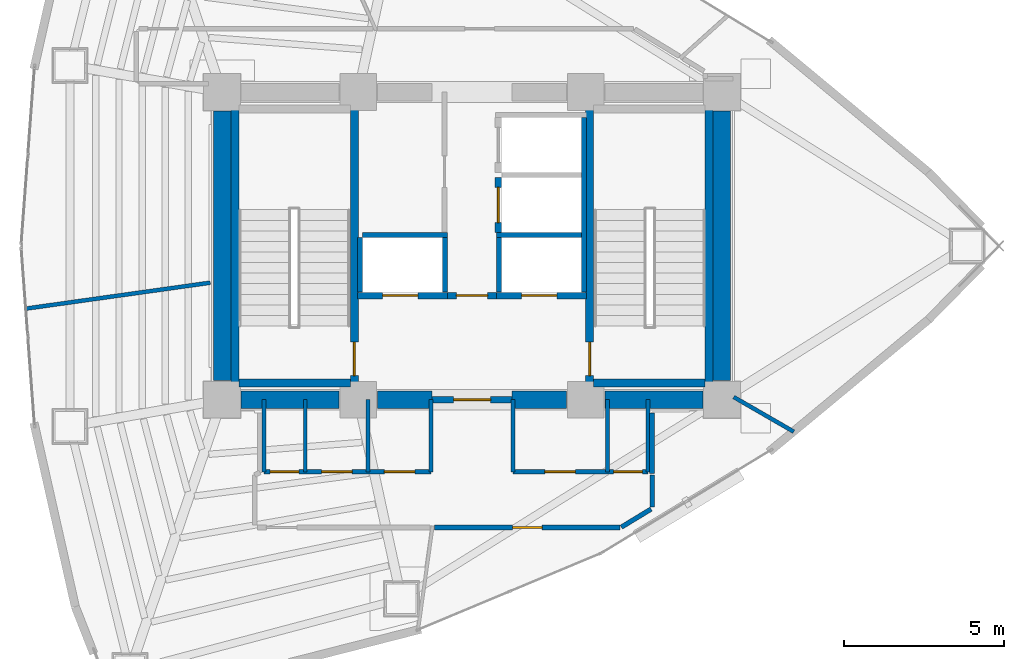
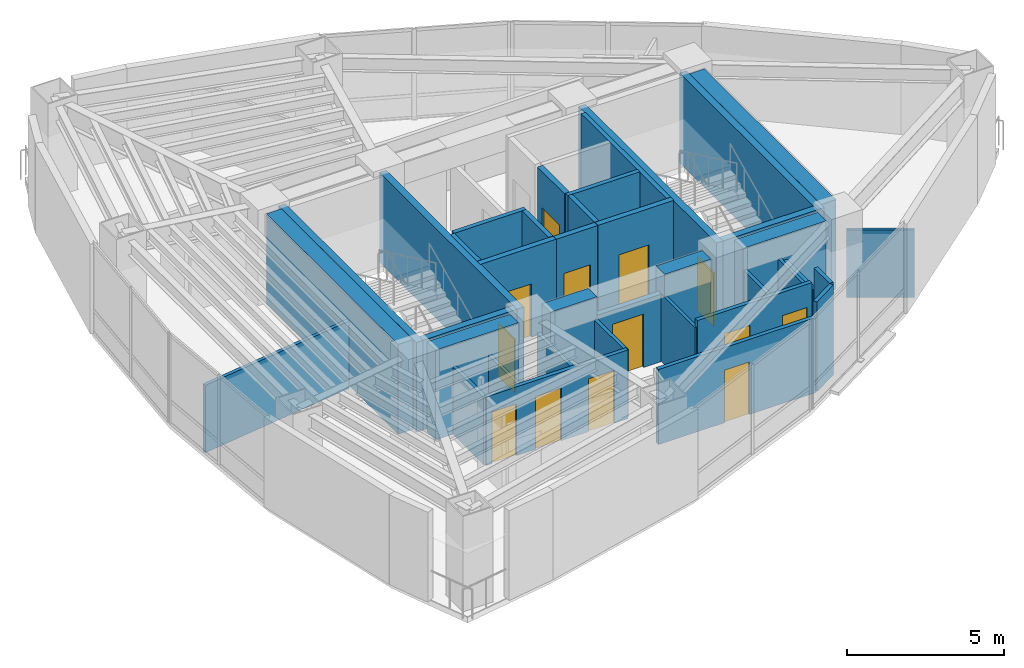
# One storey, part 11 of 15: 38 walls, 13 doors, 13 openings.
"""IFC4 building model written with IfcOpenShell, lengths in metres."""

from ifc_helpers import new_model, si_unit, direction, frame, frame_2d, origin, place, context, subcontext, project, spatial, rectangle, extrude, material, layer, layer_set, type_object, element, fill, save


model = new_model("IFC4")

# Units and contexts
model_context = context("Model", 3, precision=1e-05, world=origin(), true_north=direction((0.0, 1.0)))
body_context = subcontext(model_context, "Body", "Model", "MODEL_VIEW")
ifc_project = project(units=[si_unit("LENGTHUNIT", "METRE"), si_unit("AREAUNIT", "SQUARE_METRE"), si_unit("VOLUMEUNIT", "CUBIC_METRE"), si_unit("PLANEANGLEUNIT", "RADIAN"), si_unit("MASSUNIT", "GRAM", prefix="KILO")], contexts=[model_context])

# Site, building, storey
site_placement = place(None, origin())
site = spatial("IfcSite", under=ifc_project, at=site_placement, CompositionType="ELEMENT")
building_placement = place(site_placement, origin())
building = spatial("IfcBuilding", under=site, at=building_placement, Name="Menara Vayukalpa", CompositionType="ELEMENT")
storey_placement = place(building_placement, frame((0.0, 0.0, 137.4599609375)))
storey = spatial("IfcBuildingStorey", under=building, at=storey_placement, Name="L34", CompositionType="ELEMENT", Elevation=137.4599609375)

# Walls
ifc_material_1 = material(Name="Concrete C60/75", Category="concrete")
ifc_layer_1 = layer(ifc_material_1, 0.550048828125)
ifc_layer_set_1 = layer_set([ifc_layer_1], Name="Concrete C60/75")
wall_type_1 = type_object("IfcWallType", Name="WAL-CW550", PredefinedType="SHEAR", material=ifc_layer_set_1)
wall_1_placement = place(storey_placement, frame((18.39501953125, 17.199951171875, 0.0), z_axis=(0.0, 0.0, 1.0), x_axis=(1.0, 0.0, 0.0)))
element("IfcWall", 1, at=wall_1_placement, inside=storey, type_object=wall_type_1, Name="L34 Buttressed Core Shear Wall CWS1", PredefinedType="SHEAR", context=body_context, shape_type="SweptSolid", body=[
    extrude(rectangle(XDim=3.06005859375, YDim=0.550048828125, at=frame_2d((1.530029296875, 0.0))), origin(), (0.0, 0.0, 1.0), 3.5),
])
wall_2_placement = place(storey_placement, frame((22.64501953125, 17.199951171875, 0.0), z_axis=(0.0, 0.0, 1.0), x_axis=(1.0, 0.0, 0.0)))
element("IfcWall", 2, at=wall_2_placement, inside=storey, type_object=wall_type_1, Name="L34 Buttressed Core Shear Wall CWS2", PredefinedType="SHEAR", context=body_context, shape_type="SweptSolid", body=[
    extrude(rectangle(XDim=1.705078125, YDim=0.550048828125, at=frame_2d((0.8525390625, 0.0))), origin(), (0.0, 0.0, 1.0), 3.5),
])
wall_3_placement = place(storey_placement, frame((26.85009765625, 17.199951171875, 0.0), z_axis=(0.0, 0.0, 1.0), x_axis=(1.0, 0.0, 0.0)))
element("IfcWall", 3, at=wall_3_placement, inside=storey, type_object=wall_type_1, Name="L34 Buttressed Core Shear Wall CWS3", PredefinedType="SHEAR", context=body_context, shape_type="SweptSolid", body=[
    extrude(rectangle(XDim=1.704833984375, YDim=0.550048828125, at=frame_2d((0.8525390625, 0.0))), origin(), (0.0, 0.0, 1.0), 3.5),
])
wall_4_placement = place(storey_placement, frame((29.7451171875, 17.199951171875, 0.0), z_axis=(0.0, 0.0, 1.0), x_axis=(1.0, 0.0, 0.0)))
element("IfcWall", 4, at=wall_4_placement, inside=storey, type_object=wall_type_1, Name="L34 Buttressed Core Shear Wall CWS4", PredefinedType="SHEAR", context=body_context, shape_type="SweptSolid", body=[
    extrude(rectangle(XDim=3.059814453125, YDim=0.550048828125, at=frame_2d((1.52978515625, 0.0))), origin(), (0.0, 0.0, 1.0), 3.5),
])
for number, where, z_axis, x_axis, name in (
    (5, (17.800048828125, 17.794921875, 0.0), (0.0, 0.0, 1.0), (0.0, 1.0, 0.0), "L34 Buttressed Core Shear Wall CWW1"),
    (6, (33.39990234375, 17.794921875, 0.0), (0.0, 0.0, 1.0), (0.0, 1.0, 0.0), "L34 Buttressed Core Shear Wall CWE1"),
):
    element("IfcWall", number, at=place(storey_placement, frame(where, z_axis=z_axis, x_axis=x_axis)), inside=storey, type_object=wall_type_1, Name=name, PredefinedType="SHEAR", context=body_context, shape_type="SweptSolid", body=[
        extrude(rectangle(XDim=8.41015625, YDim=0.550048828125, at=frame_2d((4.205078125, 0.0))), origin(), (0.0, 0.0, 1.0), 3.5),
    ])
ifc_material_2 = material(Name="Lightweight Concrete Blockwork C16/20", Category="masonry")
ifc_layer_2 = layer(ifc_material_2, 0.159912109375)
ifc_layer_set_2 = layer_set([ifc_layer_2], Name="Lightweight Concrete Blockwork C16/20")
wall_type_2 = type_object("IfcWallType", Name="WAL-FR150", PredefinedType="PARTITIONING", material=ifc_layer_set_2)
for number, where, z_axis, x_axis, name in (
    (7, (22.10498046875, 20.56005859375, 0.0), (0.0, 0.0, 1.0), (0.0, 1.0, 0.0), "L34 Interior Partition IW-L34-SHW-WW"),
    (8, (24.7548828125, 20.56005859375, 0.0), (0.0, 0.0, 1.0), (0.0, 1.0, 0.0), "L34 Interior Partition IW-L34-SHW-W1E"),
):
    element("IfcWall", number, at=place(storey_placement, frame(where, z_axis=z_axis, x_axis=x_axis)), inside=storey, type_object=wall_type_2, Name=name, PredefinedType="PARTITIONING", context=body_context, shape_type="SweptSolid", body=[
        extrude(rectangle(XDim=1.7099609375, YDim=0.159912109375, at=frame_2d((0.85498046875, 0.0))), origin(), (0.0, 0.0, 1.0), 3.5),
    ])
wall_5_placement = place(storey_placement, frame((22.179931640625, 22.344970703125, 0.0), z_axis=(0.0, 0.0, 1.0), x_axis=(1.0, 0.0, 0.0)))
element("IfcWall", 9, at=wall_5_placement, inside=storey, type_object=wall_type_2, Name="L34 Interior Partition IW-L34-SHM-W12", PredefinedType="PARTITIONING", context=body_context, shape_type="SweptSolid", body=[
    extrude(rectangle(XDim=2.650146484375, YDim=0.159912109375, at=frame_2d((1.3251953125, 0.0))), origin(), (0.0, 0.0, 1.0), 3.5),
])
wall_6_placement = place(storey_placement, frame((29.094970703125, 20.56005859375, 0.0), z_axis=(0.0, 0.0, 1.0), x_axis=(0.0, 1.0, 0.0)))
element("IfcWall", 10, at=wall_6_placement, inside=storey, type_object=wall_type_2, Name="L34 Interior Partition IW-L34-SHW-EE", PredefinedType="PARTITIONING", context=body_context, shape_type="SweptSolid", body=[
    extrude(rectangle(XDim=5.449951171875, YDim=0.159912109375, at=frame_2d((2.72509765625, 0.0))), origin(), (0.0, 0.0, 1.0), 3.5),
])
wall_7_placement = place(storey_placement, frame((26.445068359375, 20.56005859375, 0.0), z_axis=(0.0, 0.0, 1.0), x_axis=(0.0, 1.0, 0.0)))
element("IfcWall", 11, at=wall_7_placement, inside=storey, type_object=wall_type_2, Name="L34 Interior Partition IW-L34-SHW-E1W", PredefinedType="PARTITIONING", context=body_context, shape_type="SweptSolid", body=[
    extrude(rectangle(XDim=1.7099609375, YDim=0.159912109375, at=frame_2d((0.85498046875, 0.0))), origin(), (0.0, 0.0, 1.0), 3.5),
])
wall_8_placement = place(storey_placement, frame((26.3701171875, 22.344970703125, 0.0), z_axis=(0.0, 0.0, 1.0), x_axis=(1.0, 0.0, 0.0)))
element("IfcWall", 12, at=wall_8_placement, inside=storey, type_object=wall_type_2, Name="L34 Interior Partition IW-L34-SHM-E13", PredefinedType="PARTITIONING", context=body_context, shape_type="SweptSolid", body=[
    extrude(rectangle(XDim=2.64990234375, YDim=0.159912109375, at=frame_2d((1.324951171875, 0.0))), origin(), (0.0, 0.0, 1.0), 3.5),
])

# Wall, opening, door
ifc_material_3 = material(Name="Lightweight Concrete Blockwork C16/20", Category="masonry")
ifc_layer_3 = layer(ifc_material_3, 0.199951171875)
ifc_layer_set_3 = layer_set([ifc_layer_3], Name="Lightweight Concrete Blockwork C16/20")
wall_type_3 = type_object("IfcWallType", Name="WAL-FR200", PredefinedType="PARTITIONING", material=ifc_layer_set_3)
wall_9_placement = place(storey_placement, frame((24.35009765625, 17.199951171875, 0.0), z_axis=(0.0, 0.0, 1.0), x_axis=(1.0, 0.0, 0.0)))
wall_9 = element("IfcWall", 13, at=wall_9_placement, inside=storey, type_object=wall_type_3, Name="L34 Interior Partition IW-L34-FFLS", PredefinedType="PARTITIONING", context=body_context, shape_type="SweptSolid", body=[
    extrude(rectangle(XDim=2.5, YDim=0.199951171875, at=frame_2d((1.25, 0.0))), origin(), (0.0, 0.0, 1.0), 2.630126953125),
])
opening_1_placement = place(wall_9_placement, frame((0.679931640625, 0.0, 0.0)))
opening_1 = element("IfcOpeningElement", 14, at=opening_1_placement, cuts=wall_9, Name="Opening ID2", PredefinedType="OPENING", context=body_context, shape_type="SweptSolid", body=[
    extrude(rectangle(XDim=1.14990234375, YDim=2.080078125, at=frame_2d((0.574951171875, 1.0400390625))), frame((0.0, 0.10986328125, 0.0), z_axis=(0.0, -1.0, 0.0), x_axis=(1.0, 0.0, 0.0)), (0.0, 0.0, 1.0), 0.219970703125),
])
ifc_material_4 = material(Name="Fire-Rated Powder-Coated Steel Door", Category="steel")
door_type_1 = type_object("IfcDoorType", Name="DR-FD60W", OperationType="NOTDEFINED", PredefinedType="DOOR", material=ifc_material_4)
door_1_placement = place(opening_1_placement, origin())
door_1 = element("IfcDoor", 15, at=door_1_placement, inside=storey, type_object=door_type_1, Name="L34 Interior Door DR-L34-FFLS", OperationType="SINGLE_SWING_LEFT", OverallHeight=2.080078125, OverallWidth=1.14990234375, PredefinedType="DOOR", context=body_context, shape_type="SweptSolid", body=[
    extrude(rectangle(XDim=1.14990234375, YDim=2.080078125, at=frame_2d((0.574951171875, 1.0400390625))), frame((0.0, 0.02490234375, 0.0), z_axis=(0.0, -1.0, 0.0), x_axis=(1.0, 0.0, 0.0)), (0.0, 0.0, 1.0), 0.050048828125),
])
fill(opening_1, door_1)

wall_10_placement = place(storey_placement, frame((24.840087890625, 20.449951171875, 0.0), z_axis=(0.0, 0.0, 1.0), x_axis=(1.0, 0.0, 0.0)))
wall_10 = element("IfcWall", 16, at=wall_10_placement, inside=storey, type_object=wall_type_3, Name="L34 Interior Partition IW-L34-FFLN", PredefinedType="PARTITIONING", context=body_context, shape_type="SweptSolid", body=[
    extrude(rectangle(XDim=1.52001953125, YDim=0.199951171875, at=frame_2d((0.760009765625, 0.0))), origin(), (0.0, 0.0, 1.0), 3.5),
])
opening_2_placement = place(wall_10_placement, frame((0.27001953125, 0.0, 0.0)))
opening_2 = element("IfcOpeningElement", 17, at=opening_2_placement, cuts=wall_10, Name="Opening ID3", PredefinedType="OPENING", context=body_context, shape_type="SweptSolid", body=[
    extrude(rectangle(XDim=0.97998046875, YDim=2.06005859375, at=frame_2d((0.489990234375, 1.030029296875))), frame((0.0, 0.10986328125, 0.0), z_axis=(0.0, -1.0, 0.0), x_axis=(1.0, 0.0, 0.0)), (0.0, 0.0, 1.0), 0.219970703125),
])
ifc_material_5 = material(Name="Fire-Rated Powder-Coated Steel Door", Category="steel")
door_type_2 = type_object("IfcDoorType", Name="DR-FD60", OperationType="NOTDEFINED", PredefinedType="DOOR", material=ifc_material_5)
door_2_placement = place(opening_2_placement, origin())
door_2 = element("IfcDoor", 18, at=door_2_placement, inside=storey, type_object=door_type_2, Name="L34 Interior Door DR-L34-FFLN", OperationType="SINGLE_SWING_RIGHT", OverallHeight=2.06005859375, OverallWidth=0.97998046875, PredefinedType="DOOR", context=body_context, shape_type="SweptSolid", body=[
    extrude(rectangle(XDim=0.97998046875, YDim=2.06005859375, at=frame_2d((0.489990234375, 1.030029296875))), frame((0.0, 0.02490234375, 0.0), z_axis=(0.0, -1.0, 0.0), x_axis=(1.0, 0.0, 0.0)), (0.0, 0.0, 1.0), 0.050048828125),
])
fill(opening_2, door_2)

wall_11_placement = place(storey_placement, frame((22.030029296875, 20.449951171875, 0.0), z_axis=(0.0, 0.0, 1.0), x_axis=(1.0, 0.0, 0.0)))
wall_11 = element("IfcWall", 19, at=wall_11_placement, inside=storey, type_object=wall_type_3, Name="L34 Interior Partition IW-L34-SH-W1", PredefinedType="PARTITIONING", context=body_context, shape_type="SweptSolid", body=[
    extrude(rectangle(XDim=2.800048828125, YDim=0.199951171875, at=frame_2d((1.39990234375, 0.0))), origin(), (0.0, 0.0, 1.0), 3.5),
])
opening_3_placement = place(wall_11_placement, frame((0.780029296875, 0.0, 0.0)))
opening_3 = element("IfcOpeningElement", 20, at=opening_3_placement, cuts=wall_11, Name="Opening LD1", PredefinedType="OPENING", context=body_context, shape_type="SweptSolid", body=[
    extrude(rectangle(XDim=1.10009765625, YDim=2.080078125, at=frame_2d((0.550048828125, 1.0400390625))), frame((0.0, 0.10986328125, 0.0), z_axis=(0.0, -1.0, 0.0), x_axis=(1.0, 0.0, 0.0)), (0.0, 0.0, 1.0), 0.219970703125),
])
ifc_material_6 = material(Name="Brushed Stainless Steel 316 Lift Door", Category="steel")
door_type_3 = type_object("IfcDoorType", Name="DR-LD110", OperationType="NOTDEFINED", PredefinedType="DOOR", material=ifc_material_6)
door_3_placement = place(opening_3_placement, origin())
door_3 = element("IfcDoor", 21, at=door_3_placement, inside=storey, type_object=door_type_3, Name="L34 Interior Door DR-L34-LD-W1", OperationType="DOUBLE_DOOR_SLIDING", OverallHeight=2.080078125, OverallWidth=1.10009765625, PredefinedType="DOOR", context=body_context, shape_type="SweptSolid", body=[
    extrude(rectangle(XDim=1.10009765625, YDim=2.080078125, at=frame_2d((0.550048828125, 1.0400390625))), frame((0.0, 0.02490234375, 0.0), z_axis=(0.0, -1.0, 0.0), x_axis=(1.0, 0.0, 0.0)), (0.0, 0.0, 1.0), 0.050048828125),
])
fill(opening_3, door_3)

wall_12_placement = place(storey_placement, frame((26.3701171875, 20.449951171875, 0.0), z_axis=(0.0, 0.0, 1.0), x_axis=(1.0, 0.0, 0.0)))
wall_12 = element("IfcWall", 22, at=wall_12_placement, inside=storey, type_object=wall_type_3, Name="L34 Interior Partition IW-L34-SH-E1", PredefinedType="PARTITIONING", context=body_context, shape_type="SweptSolid", body=[
    extrude(rectangle(XDim=2.7998046875, YDim=0.199951171875, at=frame_2d((1.39990234375, 0.0))), origin(), (0.0, 0.0, 1.0), 3.5),
])
opening_4_placement = place(wall_12_placement, frame((0.780029296875, 0.0, 0.0)))
opening_4 = element("IfcOpeningElement", 23, at=opening_4_placement, cuts=wall_12, Name="Opening LD1", PredefinedType="OPENING", context=body_context, shape_type="SweptSolid", body=[
    extrude(rectangle(XDim=1.10009765625, YDim=2.080078125, at=frame_2d((0.550048828125, 1.0400390625))), frame((0.0, 0.10986328125, 0.0), z_axis=(0.0, -1.0, 0.0), x_axis=(1.0, 0.0, 0.0)), (0.0, 0.0, 1.0), 0.219970703125),
])
door_4_placement = place(opening_4_placement, origin())
door_4 = element("IfcDoor", 24, at=door_4_placement, inside=storey, type_object=door_type_3, Name="L34 Interior Door DR-L34-LD-E1", OperationType="DOUBLE_DOOR_SLIDING", OverallHeight=2.080078125, OverallWidth=1.10009765625, PredefinedType="DOOR", context=body_context, shape_type="SweptSolid", body=[
    extrude(rectangle(XDim=1.10009765625, YDim=2.080078125, at=frame_2d((0.550048828125, 1.0400390625))), frame((0.0, 0.02490234375, 0.0), z_axis=(0.0, -1.0, 0.0), x_axis=(1.0, 0.0, 0.0)), (0.0, 0.0, 1.0), 0.050048828125),
])
fill(opening_4, door_4)

wall_13_placement = place(storey_placement, frame((26.419921875, 22.419921875, 0.0), z_axis=(0.0, 0.0, 1.0), x_axis=(0.0, 1.0, 0.0)))
wall_13 = element("IfcWall", 25, at=wall_13_placement, inside=storey, type_object=wall_type_3, Name="L34 Interior Partition IW-L34-SH-E3", PredefinedType="PARTITIONING", context=body_context, shape_type="SweptSolid", body=[
    extrude(rectangle(XDim=1.719970703125, YDim=0.199951171875, at=frame_2d((0.85986328125, 0.0))), origin(), (0.0, 0.0, 1.0), 3.5),
])
opening_5_placement = place(wall_13_placement, frame((0.31005859375, 0.0, 0.0)))
opening_5 = element("IfcOpeningElement", 26, at=opening_5_placement, cuts=wall_13, Name="Opening LD1", PredefinedType="OPENING", context=body_context, shape_type="SweptSolid", body=[
    extrude(rectangle(XDim=1.10009765625, YDim=2.080078125, at=frame_2d((0.550048828125, 1.0400390625))), frame((0.0, 0.10986328125, 0.0), z_axis=(0.0, -1.0, 0.0), x_axis=(1.0, 0.0, 0.0)), (0.0, 0.0, 1.0), 0.219970703125),
])
door_5_placement = place(opening_5_placement, origin())
door_5 = element("IfcDoor", 27, at=door_5_placement, inside=storey, type_object=door_type_3, Name="L34 Interior Door DR-L34-LD-E3", OperationType="DOUBLE_DOOR_SLIDING", OverallHeight=2.080078125, OverallWidth=1.10009765625, PredefinedType="DOOR", context=body_context, shape_type="SweptSolid", body=[
    extrude(rectangle(XDim=1.10009765625, YDim=2.080078125, at=frame_2d((0.550048828125, 1.0400390625))), frame((0.0, 0.02490234375, 0.0), z_axis=(0.0, -1.0, 0.0), x_axis=(1.0, 0.0, 0.0)), (0.0, 0.0, 1.0), 0.050048828125),
])
fill(opening_5, door_5)

# Walls
ifc_material_7 = material(Name="Acoustic Mineral Stud Partition", Category="masonry")
ifc_layer_4 = layer(ifc_material_7, 0.110107421875)
ifc_layer_set_4 = layer_set([ifc_layer_4], Name="Acoustic Mineral Stud Partition")
wall_type_4 = type_object("IfcWallType", Name="WAL-PT110", PredefinedType="PARTITIONING", material=ifc_layer_set_4)
for number, where, z_axis, x_axis, name in (
    (28, (20.39990234375, 14.949951171875, 0.0), (0.0, 0.0, 1.0), (0.0, 1.0, 0.0), "L34 Interior Partition IW-L34-SVCD-02"),
    (29, (26.8798828125, 14.949951171875, 0.0), (0.0, 0.0, 1.0), (0.0, 1.0, 0.0), "L34 Interior Partition IW-L34-SVCD-05"),
):
    element("IfcWall", number, at=place(storey_placement, frame(where, z_axis=z_axis, x_axis=x_axis)), inside=storey, type_object=wall_type_4, Name=name, PredefinedType="PARTITIONING", context=body_context, shape_type="SweptSolid", body=[
        extrude(rectangle(XDim=2.25, YDim=0.110107421875, at=frame_2d((1.125, 0.0))), origin(), (0.0, 0.0, 1.0), 2.630126953125),
    ])
ifc_material_8 = material(Name="Gypsum Drywall Steel Stud Assembly", Category="steel")
ifc_layer_5 = layer(ifc_material_8, 0.125)
ifc_layer_set_5 = layer_set([ifc_layer_5], Name="Gypsum Drywall Steel Stud Assembly")
wall_type_5 = type_object("IfcWallType", Name="WAL-PT125", PredefinedType="PARTITIONING", material=ifc_layer_set_5)
for number, where, z_axis, x_axis, name in (
    (30, (19.10009765625, 14.949951171875, 0.0), (0.0, 0.0, 1.0), (0.0, 1.0, 0.0), "L34 Interior Partition IW-L34-SVCD-01"),
    (31, (22.360107421875, 14.949951171875, 0.0), (0.0, 0.0, 1.0), (0.0, 1.0, 0.0), "L34 Interior Partition IW-L34-SVCD-03"),
    (32, (24.320068359375, 14.949951171875, 0.0), (0.0, 0.0, 1.0), (0.0, 1.0, 0.0), "L34 Interior Partition IW-L34-SVCD-04"),
    (33, (29.830078125, 14.949951171875, 0.0), (0.0, 0.0, 1.0), (0.0, 1.0, 0.0), "L34 Interior Partition IW-L34-SVCD-06"),
    (34, (31.10009765625, 14.949951171875, 0.0), (0.0, 0.0, 1.0), (0.0, 1.0, 0.0), "L34 Interior Partition IW-L34-SVCD-07"),
):
    element("IfcWall", number, at=place(storey_placement, frame(where, z_axis=z_axis, x_axis=x_axis)), inside=storey, type_object=wall_type_5, Name=name, PredefinedType="PARTITIONING", context=body_context, shape_type="SweptSolid", body=[
        extrude(rectangle(XDim=2.25, YDim=0.125, at=frame_2d((1.125, 0.0))), origin(), (0.0, 0.0, 1.0), 2.630126953125),
    ])
wall_14_placement = place(storey_placement, frame((17.429931640625, 20.851806640625, 0.0), z_axis=(0.0, 0.0, 1.0), x_axis=(-0.99027057622, -0.13915525816, 0.0)))
element("IfcWall", 35, at=wall_14_placement, inside=storey, type_object=wall_type_5, Name="L34 Interior Partition IW-L34-RDIV03", PredefinedType="PARTITIONING", context=body_context, shape_type="SweptSolid", body=[
    extrude(rectangle(XDim=5.822998046875, YDim=0.125, at=frame_2d((2.91162109375, 0.0))), origin(), (0.0, 0.0, 1.0), 2.630126953125),
])
wall_15_placement = place(storey_placement, frame((33.77001953125, 17.282958984375, 0.0), z_axis=(0.0, 0.0, 1.0), x_axis=(0.86604294664, -0.499969613651, 0.0)))
element("IfcWall", 36, at=wall_15_placement, inside=storey, type_object=wall_type_5, Name="L34 Interior Partition IW-L34-RDIV05", PredefinedType="PARTITIONING", context=body_context, shape_type="SweptSolid", body=[
    extrude(rectangle(XDim=2.166259765625, YDim=0.125, at=frame_2d((1.0830078125, 0.0))), origin(), (0.0, 0.0, 1.0), 2.630126953125),
])

# Wall, openings, doors
ifc_material_9 = material(Name="Gypsum Drywall Acoustic Stud Assembly", Category="masonry")
ifc_layer_6 = layer(ifc_material_9, 0.14501953125)
ifc_layer_set_6 = layer_set([ifc_layer_6], Name="Gypsum Drywall Acoustic Stud Assembly")
wall_type_6 = type_object("IfcWallType", Name="WAL-PT150", PredefinedType="PARTITIONING", material=ifc_layer_set_6)
wall_16_placement = place(storey_placement, frame((19.10009765625, 14.949951171875, 0.0), z_axis=(0.0, 0.0, 1.0), x_axis=(1.0, 0.0, 0.0)))
wall_16 = element("IfcWall", 37, at=wall_16_placement, inside=storey, type_object=wall_type_6, Name="L34 Interior Partition IW-L34-SVCS-W", PredefinedType="PARTITIONING", context=body_context, shape_type="SweptSolid", body=[
    extrude(rectangle(XDim=5.219970703125, YDim=0.14501953125, at=frame_2d((2.60986328125, 0.0))), origin(), (0.0, 0.0, 1.0), 2.679931640625),
])
opening_6_placement = place(wall_16_placement, frame((0.199951171875, 0.0, 0.0)))
opening_6 = element("IfcOpeningElement", 38, at=opening_6_placement, cuts=wall_16, Name="Opening ID7", PredefinedType="OPENING", context=body_context, shape_type="SweptSolid", body=[
    extrude(rectangle(XDim=0.89990234375, YDim=2.02001953125, at=frame_2d((0.449951171875, 1.010009765625))), frame((0.0, 0.08251953125, 0.0), z_axis=(0.0, -1.0, 0.0), x_axis=(1.0, 0.0, 0.0)), (0.0, 0.0, 1.0), 0.1650390625),
])
opening_7_placement = place(wall_16_placement, frame((1.804931640625, 0.0, 0.0)))
opening_7 = element("IfcOpeningElement", 39, at=opening_7_placement, cuts=wall_16, Name="Opening ID5", PredefinedType="OPENING", context=body_context, shape_type="SweptSolid", body=[
    extrude(rectangle(XDim=0.949951171875, YDim=2.06005859375, at=frame_2d((0.47509765625, 1.030029296875))), frame((0.0, 0.08251953125, 0.0), z_axis=(0.0, -1.0, 0.0), x_axis=(1.0, 0.0, 0.0)), (0.0, 0.0, 1.0), 0.1650390625),
])
opening_8_placement = place(wall_16_placement, frame((3.764892578125, 0.0, 0.0)))
opening_8 = element("IfcOpeningElement", 40, at=opening_8_placement, cuts=wall_16, Name="Opening ID5", PredefinedType="OPENING", context=body_context, shape_type="SweptSolid", body=[
    extrude(rectangle(XDim=0.949951171875, YDim=2.06005859375, at=frame_2d((0.47509765625, 1.030029296875))), frame((0.0, 0.08251953125, 0.0), z_axis=(0.0, -1.0, 0.0), x_axis=(1.0, 0.0, 0.0)), (0.0, 0.0, 1.0), 0.1650390625),
])
ifc_material_10 = material(Name="Acoustic Hardwood Veneer Timber Door", Category="wood")
door_type_4 = type_object("IfcDoorType", Name="DR-INT95", OperationType="NOTDEFINED", PredefinedType="DOOR", material=ifc_material_10)
door_6_placement = place(opening_7_placement, origin())
door_6 = element("IfcDoor", 41, at=door_6_placement, inside=storey, type_object=door_type_4, Name="L34 Interior Door DR-L34-AWC", OperationType="SINGLE_SWING_LEFT", OverallHeight=2.06005859375, OverallWidth=0.949951171875, PredefinedType="DOOR", context=body_context, shape_type="SweptSolid", body=[
    extrude(rectangle(XDim=0.949951171875, YDim=2.06005859375, at=frame_2d((0.47509765625, 1.030029296875))), frame((0.0, 0.02490234375, 0.0), z_axis=(0.0, -1.0, 0.0), x_axis=(1.0, 0.0, 0.0)), (0.0, 0.0, 1.0), 0.050048828125),
])
fill(opening_7, door_6)
door_7_placement = place(opening_8_placement, origin())
door_7 = element("IfcDoor", 42, at=door_7_placement, inside=storey, type_object=door_type_4, Name="L34 Interior Door DR-L34-SWC", OperationType="SINGLE_SWING_RIGHT", OverallHeight=2.06005859375, OverallWidth=0.949951171875, PredefinedType="DOOR", context=body_context, shape_type="SweptSolid", body=[
    extrude(rectangle(XDim=0.949951171875, YDim=2.06005859375, at=frame_2d((0.47509765625, 1.030029296875))), frame((0.0, 0.02490234375, 0.0), z_axis=(0.0, -1.0, 0.0), x_axis=(1.0, 0.0, 0.0)), (0.0, 0.0, 1.0), 0.050048828125),
])
fill(opening_8, door_7)
ifc_material_11 = material(Name="Powder-Coated Steel Riser Access Door", Category="steel")
door_type_5 = type_object("IfcDoorType", Name="DR-RISER", OperationType="NOTDEFINED", PredefinedType="DOOR", material=ifc_material_11)
door_8_placement = place(opening_6_placement, origin())
door_8 = element("IfcDoor", 43, at=door_8_placement, inside=storey, type_object=door_type_5, Name="L34 Interior Door DR-L34-ELR", OperationType="SINGLE_SWING_RIGHT", OverallHeight=2.02001953125, OverallWidth=0.89990234375, PredefinedType="DOOR", context=body_context, shape_type="SweptSolid", body=[
    extrude(rectangle(XDim=0.89990234375, YDim=2.02001953125, at=frame_2d((0.449951171875, 1.010009765625))), frame((0.0, 0.02490234375, 0.0), z_axis=(0.0, -1.0, 0.0), x_axis=(1.0, 0.0, 0.0)), (0.0, 0.0, 1.0), 0.050048828125),
])
fill(opening_6, door_8)

wall_17_placement = place(storey_placement, frame((26.8798828125, 14.949951171875, 0.0), z_axis=(0.0, 0.0, 1.0), x_axis=(1.0, 0.0, 0.0)))
wall_17 = element("IfcWall", 44, at=wall_17_placement, inside=storey, type_object=wall_type_6, Name="L34 Interior Partition IW-L34-SVCS-E", PredefinedType="PARTITIONING", context=body_context, shape_type="SweptSolid", body=[
    extrude(rectangle(XDim=4.22021484375, YDim=0.14501953125, at=frame_2d((2.110107421875, 0.0))), origin(), (0.0, 0.0, 1.0), 2.929931640625),
])
opening_9_placement = place(wall_17_placement, frame((0.9951171875, 0.0, 0.0)))
opening_9 = element("IfcOpeningElement", 45, at=opening_9_placement, cuts=wall_17, Name="Opening ID5", PredefinedType="OPENING", context=body_context, shape_type="SweptSolid", body=[
    extrude(rectangle(XDim=0.949951171875, YDim=2.06005859375, at=frame_2d((0.47509765625, 1.030029296875))), frame((0.0, 0.08251953125, 0.0), z_axis=(0.0, -1.0, 0.0), x_axis=(1.0, 0.0, 0.0)), (0.0, 0.0, 1.0), 0.1650390625),
])
opening_10_placement = place(wall_17_placement, frame((3.139892578125, 0.0, 0.0)))
opening_10 = element("IfcOpeningElement", 46, at=opening_10_placement, cuts=wall_17, Name="Opening ID7", PredefinedType="OPENING", context=body_context, shape_type="SweptSolid", body=[
    extrude(rectangle(XDim=0.89990234375, YDim=2.02001953125, at=frame_2d((0.449951171875, 1.010009765625))), frame((0.0, 0.08251953125, 0.0), z_axis=(0.0, -1.0, 0.0), x_axis=(1.0, 0.0, 0.0)), (0.0, 0.0, 1.0), 0.1650390625),
])
door_9_placement = place(opening_9_placement, origin())
door_9 = element("IfcDoor", 47, at=door_9_placement, inside=storey, type_object=door_type_4, Name="L34 Interior Door DR-L34-KSV1", OperationType="SINGLE_SWING_LEFT", OverallHeight=2.06005859375, OverallWidth=0.949951171875, PredefinedType="DOOR", context=body_context, shape_type="SweptSolid", body=[
    extrude(rectangle(XDim=0.949951171875, YDim=2.06005859375, at=frame_2d((0.47509765625, 1.030029296875))), frame((0.0, 0.02490234375, 0.0), z_axis=(0.0, -1.0, 0.0), x_axis=(1.0, 0.0, 0.0)), (0.0, 0.0, 1.0), 0.050048828125),
])
fill(opening_9, door_9)
door_10_placement = place(opening_10_placement, origin())
door_10 = element("IfcDoor", 48, at=door_10_placement, inside=storey, type_object=door_type_5, Name="L34 Interior Door DR-L34-SMD", OperationType="SINGLE_SWING_RIGHT", OverallHeight=2.02001953125, OverallWidth=0.89990234375, PredefinedType="DOOR", context=body_context, shape_type="SweptSolid", body=[
    extrude(rectangle(XDim=0.89990234375, YDim=2.02001953125, at=frame_2d((0.449951171875, 1.010009765625))), frame((0.0, 0.02490234375, 0.0), z_axis=(0.0, -1.0, 0.0), x_axis=(1.0, 0.0, 0.0)), (0.0, 0.0, 1.0), 0.050048828125),
])
fill(opening_10, door_10)

# Wall, opening, door
wall_18_placement = place(storey_placement, frame((24.435302734375, 13.2099609375, 0.0), z_axis=(0.0, 0.0, 1.0), x_axis=(1.0, 0.0, 0.0)))
wall_18 = element("IfcWall", 49, at=wall_18_placement, inside=storey, type_object=wall_type_6, Name="L34 Interior Partition IW-L34-CRM02-1", PredefinedType="PARTITIONING", context=body_context, shape_type="SweptSolid", body=[
    extrude(rectangle(XDim=5.784912109375, YDim=0.14501953125, at=frame_2d((2.892578125, 0.0))), origin(), (0.0, 0.0, 1.0), 2.929931640625),
])
opening_11_placement = place(wall_18_placement, frame((2.432373046875, 0.0, 0.0)))
opening_11 = element("IfcOpeningElement", 50, at=opening_11_placement, cuts=wall_18, Name="Opening ID6", PredefinedType="OPENING", context=body_context, shape_type="SweptSolid", body=[
    extrude(rectangle(XDim=0.919921875, YDim=2.050048828125, at=frame_2d((0.4599609375, 1.02490234375))), frame((0.0, 0.08251953125, 0.0), z_axis=(0.0, -1.0, 0.0), x_axis=(1.0, 0.0, 0.0)), (0.0, 0.0, 1.0), 0.1650390625),
])
ifc_material_12 = material(Name="Acoustic Hardwood Veneer Timber Door", Category="wood")
door_type_6 = type_object("IfcDoorType", Name="DR-INT92", OperationType="NOTDEFINED", PredefinedType="DOOR", material=ifc_material_12)
door_11_placement = place(opening_11_placement, origin())
door_11 = element("IfcDoor", 51, at=door_11_placement, inside=storey, type_object=door_type_6, Name="L34 Interior Door DR-L34-RM02", OperationType="SINGLE_SWING_RIGHT", OverallHeight=2.050048828125, OverallWidth=0.919921875, PredefinedType="DOOR", context=body_context, shape_type="SweptSolid", body=[
    extrude(rectangle(XDim=0.919921875, YDim=2.050048828125, at=frame_2d((0.4599609375, 1.02490234375))), frame((0.0, 0.02490234375, 0.0), z_axis=(0.0, -1.0, 0.0), x_axis=(1.0, 0.0, 0.0)), (0.0, 0.0, 1.0), 0.050048828125),
])
fill(opening_11, door_11)

# Walls
wall_19_placement = place(storey_placement, frame((30.26171875, 13.2216796875, 0.0), z_axis=(0.0, 0.0, 1.0), x_axis=(0.854687931931, 0.519142118318, 0.0)))
element("IfcWall", 52, at=wall_19_placement, inside=storey, type_object=wall_type_6, Name="L34 Interior Partition IW-L34-CRM02-2", PredefinedType="PARTITIONING", context=body_context, shape_type="SweptSolid", body=[
    extrude(rectangle(XDim=1.087646484375, YDim=0.14501953125, at=frame_2d((0.5439453125, 0.0))), origin(), (0.0, 0.0, 1.0), 3.5),
])
wall_20_placement = place(storey_placement, frame((31.22998046875, 13.854736328125, 0.0), z_axis=(0.0, 0.0, 1.0), x_axis=(0.0, 1.0, 0.0)))
element("IfcWall", 53, at=wall_20_placement, inside=storey, type_object=wall_type_6, Name="L34 Interior Partition IW-L34-CRM02-3", PredefinedType="PARTITIONING", context=body_context, shape_type="SweptSolid", body=[
    extrude(rectangle(XDim=0.995361328125, YDim=0.14501953125, at=frame_2d((0.49755859375, 0.0))), origin(), (0.0, 0.0, 1.0), 3.5),
])
wall_21_placement = place(storey_placement, frame((31.219970703125, 14.888671875, 0.0), z_axis=(0.0, 0.0, 1.0), x_axis=(0.0, 1.0, 0.0)))
element("IfcWall", 54, at=wall_21_placement, inside=storey, type_object=wall_type_6, Name="L34 Interior Partition IW-L34-CRM02-4", PredefinedType="PARTITIONING", context=body_context, shape_type="SweptSolid", body=[
    extrude(rectangle(XDim=1.891357421875, YDim=0.14501953125, at=frame_2d((0.94580078125, 0.0))), origin(), (0.0, 0.0, 1.0), 2.630126953125),
])
ifc_material_13 = material(Name="Concrete C50/60", Category="concrete")
ifc_layer_7 = layer(ifc_material_13, 0.25)
ifc_layer_set_7 = layer_set([ifc_layer_7], Name="Concrete C50/60")
wall_type_7 = type_object("IfcWallType", Name="WAL-SW250", PredefinedType="SHEAR", material=ifc_layer_set_7)
wall_22_placement = place(storey_placement, frame((18.2041015625, 17.60009765625, 0.0), z_axis=(0.0, 0.0, 1.0), x_axis=(0.0, 1.0, 0.0)))
element("IfcWall", 55, at=wall_22_placement, inside=storey, type_object=wall_type_7, Name="L34 ST1 Structural Stair Shaft Wall W", PredefinedType="SHEAR", context=body_context, shape_type="SweptSolid", body=[
    extrude(rectangle(XDim=8.7998046875, YDim=0.25, at=frame_2d((4.39990234375, 0.0))), origin(), (0.0, 0.0, 1.0), 3.5),
])

# Wall, opening, door
wall_23_placement = place(storey_placement, frame((21.925048828125, 17.60009765625, 0.0), z_axis=(0.0, 0.0, 1.0), x_axis=(0.0, 1.0, 0.0)))
wall_23 = element("IfcWall", 56, at=wall_23_placement, inside=storey, type_object=wall_type_7, Name="L34 ST1 Structural Stair Shaft Wall E", PredefinedType="SHEAR", context=body_context, shape_type="SweptSolid", body=[
    extrude(rectangle(XDim=8.7998046875, YDim=0.25, at=frame_2d((4.39990234375, 0.0))), origin(), (0.0, 0.0, 1.0), 3.5),
])
opening_12_placement = place(wall_23_placement, frame((0.35009765625, 0.0, 0.0)))
opening_12 = element("IfcOpeningElement", 57, at=opening_12_placement, cuts=wall_23, Name="Opening ID1", PredefinedType="OPENING", context=body_context, shape_type="SweptSolid", body=[
    extrude(rectangle(XDim=1.050048828125, YDim=2.080078125, at=frame_2d((0.52490234375, 1.0400390625))), frame((0.0, 0.135009765625, 0.0), z_axis=(0.0, -1.0, 0.0), x_axis=(1.0, 0.0, 0.0)), (0.0, 0.0, 1.0), 0.27001953125),
])
ifc_material_14 = material(Name="Fire-Rated Powder-Coated Steel Door", Category="steel")
door_type_7 = type_object("IfcDoorType", Name="DR-FD120", OperationType="NOTDEFINED", PredefinedType="DOOR", material=ifc_material_14)
door_12_placement = place(opening_12_placement, origin())
door_12 = element("IfcDoor", 58, at=door_12_placement, inside=storey, type_object=door_type_7, Name="L34 Stair Exit Door DR-L34-ST1", OperationType="SINGLE_SWING_LEFT", OverallHeight=2.080078125, OverallWidth=1.050048828125, PredefinedType="DOOR", context=body_context, shape_type="SweptSolid", body=[
    extrude(rectangle(XDim=1.050048828125, YDim=2.080078125, at=frame_2d((0.52490234375, 1.0400390625))), frame((0.0, 0.02490234375, 0.0), z_axis=(0.0, -1.0, 0.0), x_axis=(1.0, 0.0, 0.0)), (0.0, 0.0, 1.0), 0.050048828125),
])
fill(opening_12, door_12)

# Wall
wall_24_placement = place(storey_placement, frame((18.3291015625, 17.72509765625, 0.0), z_axis=(0.0, 0.0, 1.0), x_axis=(1.0, 0.0, 0.0)))
element("IfcWall", 59, at=wall_24_placement, inside=storey, type_object=wall_type_7, Name="L34 ST1 Structural Stair Shaft Wall S", PredefinedType="SHEAR", context=body_context, shape_type="SweptSolid", body=[
    extrude(rectangle(XDim=3.470947265625, YDim=0.25, at=frame_2d((1.7353515625, 0.0))), origin(), (0.0, 0.0, 1.0), 3.5),
])

# Wall, opening, door
wall_25_placement = place(storey_placement, frame((29.27490234375, 17.60009765625, 0.0), z_axis=(0.0, 0.0, 1.0), x_axis=(0.0, 1.0, 0.0)))
wall_25 = element("IfcWall", 60, at=wall_25_placement, inside=storey, type_object=wall_type_7, Name="L34 ST2 Structural Stair Shaft Wall W", PredefinedType="SHEAR", context=body_context, shape_type="SweptSolid", body=[
    extrude(rectangle(XDim=8.7998046875, YDim=0.25, at=frame_2d((4.39990234375, 0.0))), origin(), (0.0, 0.0, 1.0), 3.5),
])
opening_13_placement = place(wall_25_placement, frame((0.35009765625, 0.0, 0.0)))
opening_13 = element("IfcOpeningElement", 61, at=opening_13_placement, cuts=wall_25, Name="Opening ID1", PredefinedType="OPENING", context=body_context, shape_type="SweptSolid", body=[
    extrude(rectangle(XDim=1.050048828125, YDim=2.080078125, at=frame_2d((0.52490234375, 1.0400390625))), frame((0.0, 0.135009765625, 0.0), z_axis=(0.0, -1.0, 0.0), x_axis=(1.0, 0.0, 0.0)), (0.0, 0.0, 1.0), 0.27001953125),
])
door_13_placement = place(opening_13_placement, origin())
door_13 = element("IfcDoor", 62, at=door_13_placement, inside=storey, type_object=door_type_7, Name="L34 Stair Exit Door DR-L34-ST2", OperationType="SINGLE_SWING_RIGHT", OverallHeight=2.080078125, OverallWidth=1.050048828125, PredefinedType="DOOR", context=body_context, shape_type="SweptSolid", body=[
    extrude(rectangle(XDim=1.050048828125, YDim=2.080078125, at=frame_2d((0.52490234375, 1.0400390625))), frame((0.0, 0.02490234375, 0.0), z_axis=(0.0, -1.0, 0.0), x_axis=(1.0, 0.0, 0.0)), (0.0, 0.0, 1.0), 0.050048828125),
])
fill(opening_13, door_13)

# Walls
wall_26_placement = place(storey_placement, frame((32.99609375, 17.60009765625, 0.0), z_axis=(0.0, 0.0, 1.0), x_axis=(0.0, 1.0, 0.0)))
element("IfcWall", 63, at=wall_26_placement, inside=storey, type_object=wall_type_7, Name="L34 ST2 Structural Stair Shaft Wall E", PredefinedType="SHEAR", context=body_context, shape_type="SweptSolid", body=[
    extrude(rectangle(XDim=8.7998046875, YDim=0.25, at=frame_2d((4.39990234375, 0.0))), origin(), (0.0, 0.0, 1.0), 3.5),
])
wall_27_placement = place(storey_placement, frame((29.39990234375, 17.72509765625, 0.0), z_axis=(0.0, 0.0, 1.0), x_axis=(1.0, 0.0, 0.0)))
element("IfcWall", 64, at=wall_27_placement, inside=storey, type_object=wall_type_7, Name="L34 ST2 Structural Stair Shaft Wall S", PredefinedType="SHEAR", context=body_context, shape_type="SweptSolid", body=[
    extrude(rectangle(XDim=3.47119140625, YDim=0.25, at=frame_2d((1.735595703125, 0.0))), origin(), (0.0, 0.0, 1.0), 3.5),
])

save(model, "model.ifc")
